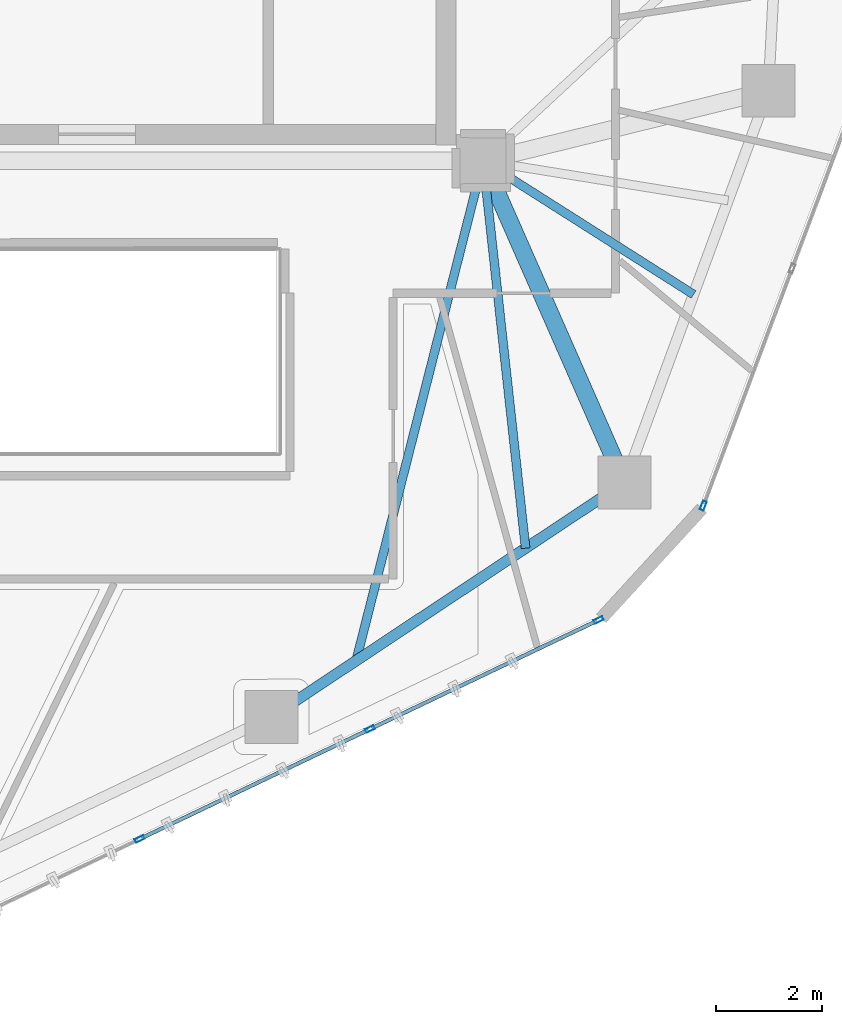
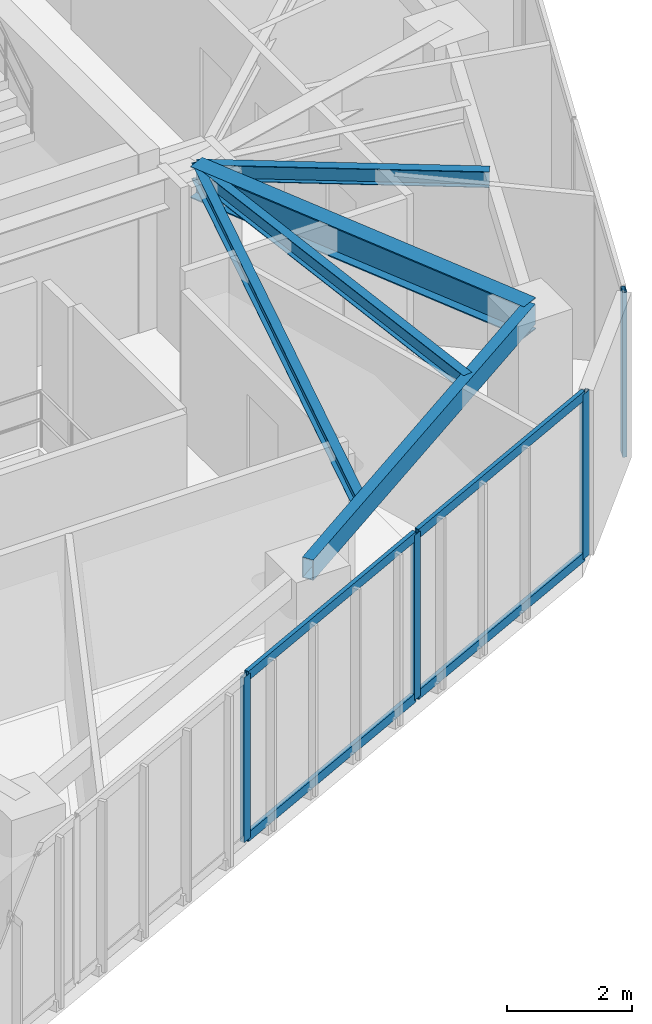
# One storey, part 6 of 18: 8 members, 5 beams, 2 elements without a shape of their own.
"""IFC4 building model written with IfcOpenShell, lengths in metres."""

from ifc_helpers import new_model, si_unit, direction, frame, origin, origin_2d, place, context, subcontext, project, spatial, hollow_rectangle, i_section, extrude, source, transform, mapped, material, layer, layer_set, material_profile, profile_set, type_object, type_shapes, element, aggregate, save


model = new_model("IFC4")

# Units and contexts
model_context = context("Model", 3, precision=1e-05, world=origin(), true_north=direction((0.0, 1.0)))
body_context = subcontext(model_context, "Body", "Model", "MODEL_VIEW")
ifc_project = project(units=[si_unit("LENGTHUNIT", "METRE"), si_unit("AREAUNIT", "SQUARE_METRE"), si_unit("VOLUMEUNIT", "CUBIC_METRE"), si_unit("PLANEANGLEUNIT", "RADIAN"), si_unit("MASSUNIT", "GRAM", prefix="KILO")], contexts=[model_context])

# Site, building, storey
site_placement = place(None, origin())
site = spatial("IfcSite", under=ifc_project, at=site_placement, CompositionType="ELEMENT")
building_placement = place(site_placement, origin())
building = spatial("IfcBuilding", under=site, at=building_placement, Name="Talar Marvaseh", CompositionType="ELEMENT")
storey_placement = place(building_placement, frame((0.0, 0.0, 167.0)))
storey = spatial("IfcBuildingStorey", under=building, at=storey_placement, Name="L43", CompositionType="ELEMENT", Elevation=167.0)

# Beams
ifc_material_1 = material(Name="Steel S355", Category="steel")
ifc_material_profile_1 = material_profile(ifc_material_1, hollow_rectangle(XDim=0.199951171875, YDim=0.39990234375, WallThickness=0.013916015625, at=origin_2d()), Name="RHS400x200x14")
ifc_profile_set_1 = profile_set([ifc_material_profile_1], Name="Steel S355")
beam_type_1 = type_object("IfcBeamType", Name="Zone 3 Perimeter Spandrel Beam RHS400x200x14", PredefinedType="SPANDREL", material=ifc_profile_set_1)
beam_1_placement = place(storey_placement, frame((35.970947265625, 19.423095703125, 3.030029296875), z_axis=(-0.833127464163, -0.553081032452, 0.0), x_axis=(0.553081032452, -0.833127464163, 0.0)))
element("IfcBeam", 1, at=beam_1_placement, inside=storey, type_object=beam_type_1, Name="L43 Zone 3 Perimeter Spandrel Beam RHS400x200x14", PredefinedType="SPANDREL", context=body_context, shape_type="SweptSolid", body=[
    extrude(hollow_rectangle(XDim=0.199951171875, YDim=0.39990234375, WallThickness=0.013916015625, at=origin_2d()), origin(), (0.0, 0.0, 1.0), 8.00830078125),
])
ifc_material_profile_2 = material_profile(ifc_material_1, i_section(OverallWidth=0.324951171875, OverallDepth=0.615966796875, WebThickness=0.013916015625, FlangeThickness=0.021484375, at=origin_2d()), Name="W610x174")
ifc_profile_set_2 = profile_set([ifc_material_profile_2], Name="Steel S355")
beam_type_2 = type_object("IfcBeamType", Name="Zone 3 Radial Floor Girder W610x174", PredefinedType="BEAM", material=ifc_profile_set_2)
beam_2_placement = place(storey_placement, frame((35.970947265625, 19.423095703125, 2.922119140625), z_axis=(-0.402367581672, 0.91547819702, 0.0), x_axis=(-0.91547819702, -0.402367581672, 0.0)))
element("IfcBeam", 2, at=beam_2_placement, inside=storey, type_object=beam_type_2, Name="L43 Zone 3 Radial Floor Girder W610x174", PredefinedType="BEAM", context=body_context, shape_type="SweptSolid", body=[
    extrude(i_section(OverallWidth=0.324951171875, OverallDepth=0.615966796875, WebThickness=0.013916015625, FlangeThickness=0.021484375, at=origin_2d()), origin(), (0.0, 0.0, 1.0), 6.637939453125),
])
ifc_material_profile_3 = material_profile(ifc_material_1, i_section(OverallWidth=0.166015625, OverallDepth=0.31298828125, WebThickness=0.006591796875, FlangeThickness=0.01123046875, at=origin_2d()), Name="W310x45")
ifc_profile_set_3 = profile_set([ifc_material_profile_3], Name="Steel S355")
beam_type_3 = type_object("IfcBeamType", Name="Zone 3 Secondary Floor Joist W310x45", PredefinedType="JOIST", material=ifc_profile_set_3)
beam_3_placement = place(storey_placement, frame((37.275634765625, 22.9755859375, 3.073486328125), z_axis=(-0.844190472961, 0.536043324147, 0.0), x_axis=(-0.536043324147, -0.844190472961, 0.0)))
element("IfcBeam", 3, at=beam_3_placement, inside=storey, type_object=beam_type_3, Name="L43 Zone 3 Secondary Floor Joist W310x45", PredefinedType="JOIST", context=body_context, shape_type="SweptSolid", body=[
    extrude(i_section(OverallWidth=0.166015625, OverallDepth=0.31298828125, WebThickness=0.006591796875, FlangeThickness=0.01123046875, at=origin_2d()), origin(), (0.0, 0.0, 1.0), 4.709228515625),
])
beam_4_placement = place(storey_placement, frame((34.102783203125, 18.182861328125, 3.073486328125), z_axis=(-0.109051770147, 0.994036071492, 0.0), x_axis=(-0.994036071492, -0.109051770147, 0.0)))
element("IfcBeam", 4, at=beam_4_placement, inside=storey, type_object=beam_type_3, Name="L43 Zone 3 Secondary Floor Joist W310x45", PredefinedType="JOIST", context=body_context, shape_type="SweptSolid", body=[
    extrude(i_section(OverallWidth=0.166015625, OverallDepth=0.31298828125, WebThickness=0.006591796875, FlangeThickness=0.01123046875, at=origin_2d()), origin(), (0.0, 0.0, 1.0), 7.361083984375),
])
beam_5_placement = place(storey_placement, frame((30.900390625, 16.056884765625, 3.073486328125), z_axis=(0.246289474123, 0.96919631393, 0.0), x_axis=(-0.96919631393, 0.246289474123, 0.0)))
element("IfcBeam", 5, at=beam_5_placement, inside=storey, type_object=beam_type_3, Name="L43 Zone 3 Secondary Floor Joist W310x45", PredefinedType="JOIST", context=body_context, shape_type="SweptSolid", body=[
    extrude(i_section(OverallWidth=0.166015625, OverallDepth=0.31298828125, WebThickness=0.006591796875, FlangeThickness=0.01123046875, at=origin_2d()), origin(), (0.0, 0.0, 1.0), 9.7431640625),
])

# Curtain wall, member
ifc_material_2 = material(Name="Architectural Aluminium", Category="aluminium")
ifc_layer = layer(ifc_material_2, 0.18994140625)
ifc_layer_set = layer_set([ifc_layer], Name="Architectural Aluminium")
curtain_wall_type = type_object("IfcCurtainWallType", Name="Unitised Solar Atelier Curtain Wall Z3", PredefinedType="NOTDEFINED", material=ifc_layer_set)
curtain_wall_1_placement = place(storey_placement, origin())
curtain_wall_1 = element("IfcCurtainWall", 6, at=curtain_wall_1_placement, inside=storey, type_object=curtain_wall_type, Name="L43 Unitised Solar Atelier Curtain Wall Z3", PredefinedType="NOTDEFINED")
ifc_material_profile_4 = material_profile(ifc_material_2, hollow_rectangle(XDim=0.074951171875, YDim=0.179931640625, WallThickness=0.0048828125, at=origin_2d()), Name="RHS180x75x5")
ifc_profile_set_4 = profile_set([ifc_material_profile_4], Name="Architectural Aluminium")
member_type_1 = type_object("IfcMemberType", Name="Unitised Curtain Wall Standard Mullion RHS180x75x5", PredefinedType="MULLION", material=ifc_profile_set_4)
shared_shape_1 = source(origin(), body_context, "Body", "SweptSolid", [
    extrude(hollow_rectangle(XDim=0.074951171875, YDim=0.179931640625, WallThickness=0.0048828125, at=origin_2d()), origin(), (0.0, 0.0, 1.0), 3.22998046875),
])
type_shapes(member_type_1, [shared_shape_1])
member_1_placement = place(storey_placement, frame((37.46044921875, 18.9853515625, 0.0), z_axis=(0.0, 0.0, 1.0), x_axis=(0.936616923625, -0.350355160345, 0.0)))
member_1 = element("IfcMember", 7, at=member_1_placement, type_object=member_type_1, Name="CW-Z3 mullion 5", PredefinedType="MULLION", context=body_context, shape_type="MappedRepresentation", body=[
    mapped(shared_shape_1, transform((0.0, 0.0, 0.0), x_axis=(1.0, 0.0, 0.0), y_axis=(0.0, 1.0, 0.0), z_axis=(0.0, 0.0, 1.0), scale=1.0)),
])
aggregate(curtain_wall_1, [member_1])

# Curtain wall, members
curtain_wall_2_placement = place(storey_placement, origin())
curtain_wall_2 = element("IfcCurtainWall", 8, at=curtain_wall_2_placement, inside=storey, type_object=curtain_wall_type, Name="L43 Unitised Solar Atelier Curtain Wall Z3", PredefinedType="NOTDEFINED")
member_2_placement = place(storey_placement, frame((35.481201171875, 16.8251953125, 0.0), z_axis=(0.0, 0.0, 1.0), x_axis=(0.430650890034, -0.902518593112, 0.0)))
member_2 = element("IfcMember", 9, at=member_2_placement, type_object=member_type_1, Name="CW-Z3 mullion 1", PredefinedType="MULLION", context=body_context, shape_type="MappedRepresentation", body=[
    mapped(shared_shape_1, transform((0.0, 0.0, 0.0), x_axis=(1.0, 0.0, 0.0), y_axis=(0.0, 1.0, 0.0), z_axis=(0.0, 0.0, 1.0), scale=1.0)),
])
member_3_placement = place(storey_placement, frame((31.1630859375, 14.764892578125, 0.0), z_axis=(0.0, 0.0, 1.0), x_axis=(0.430650890034, -0.902518593112, 0.0)))
member_3 = element("IfcMember", 10, at=member_3_placement, type_object=member_type_1, Name="CW-Z3 mullion 2", PredefinedType="MULLION", context=body_context, shape_type="MappedRepresentation", body=[
    mapped(shared_shape_1, transform((0.0, 0.0, 0.0), x_axis=(1.0, 0.0, 0.0), y_axis=(0.0, 1.0, 0.0), z_axis=(0.0, 0.0, 1.0), scale=1.0)),
])
member_4_placement = place(storey_placement, frame((26.81103515625, 12.688232421875, 0.0), z_axis=(0.0, 0.0, 1.0), x_axis=(0.430650890034, -0.902518593112, 0.0)))
member_4 = element("IfcMember", 11, at=member_4_placement, type_object=member_type_1, Name="CW-Z3 mullion 3", PredefinedType="MULLION", context=body_context, shape_type="MappedRepresentation", body=[
    mapped(shared_shape_1, transform((0.0, 0.0, 0.0), x_axis=(1.0, 0.0, 0.0), y_axis=(0.0, 1.0, 0.0), z_axis=(0.0, 0.0, 1.0), scale=1.0)),
])
ifc_material_profile_5 = material_profile(ifc_material_2, hollow_rectangle(XDim=0.074951171875, YDim=0.179931640625, WallThickness=0.0048828125, at=origin_2d()), Name="RHS180x75x5")
ifc_profile_set_5 = profile_set([ifc_material_profile_5], Name="Architectural Aluminium")
member_type_2 = type_object("IfcMemberType", Name="Unitised Curtain Wall Transom RHS180x75x5", PredefinedType="USERDEFINED", material=ifc_profile_set_5)
shared_shape_2 = source(origin(), body_context, "Body", "SweptSolid", [
    extrude(hollow_rectangle(XDim=0.074951171875, YDim=0.179931640625, WallThickness=0.0048828125, at=origin_2d()), origin(), (0.0, 0.0, 1.0), 4.70947265625),
])
member_5_placement = place(storey_placement, frame((35.447265625, 16.80908203125, 0.03759765625), z_axis=(-0.902527747016, -0.430631705598, 0.0), x_axis=(0.430631705598, -0.902527747016, 0.0)))
member_5 = element("IfcMember", 12, at=member_5_placement, type_object=member_type_2, Name="CW-Z3 transom 1.1", ObjectType="TRANSOM", PredefinedType="USERDEFINED", context=body_context, shape_type="MappedRepresentation", body=[
    mapped(shared_shape_2, transform((0.0, 0.0, 0.0), x_axis=(1.0, 0.0, 0.0), y_axis=(0.0, 1.0, 0.0), z_axis=(0.0, 0.0, 1.0), scale=1.0)),
])
member_6_placement = place(storey_placement, frame((35.447265625, 16.80908203125, 3.1923828125), z_axis=(-0.902527747016, -0.430631705598, 0.0), x_axis=(0.430631705598, -0.902527747016, 0.0)))
member_6 = element("IfcMember", 13, at=member_6_placement, type_object=member_type_2, Name="CW-Z3 transom 1.2", ObjectType="TRANSOM", PredefinedType="USERDEFINED", context=body_context, shape_type="MappedRepresentation", body=[
    mapped(shared_shape_2, transform((0.0, 0.0, 0.0), x_axis=(1.0, 0.0, 0.0), y_axis=(0.0, 1.0, 0.0), z_axis=(0.0, 0.0, 1.0), scale=1.0)),
])
shared_shape_3 = source(origin(), body_context, "Body", "SweptSolid", [
    extrude(hollow_rectangle(XDim=0.074951171875, YDim=0.179931640625, WallThickness=0.0048828125, at=origin_2d()), origin(), (0.0, 0.0, 1.0), 4.7470703125),
])
type_shapes(member_type_2, [shared_shape_2, shared_shape_3])
member_7_placement = place(storey_placement, frame((31.129150390625, 14.74853515625, 0.03759765625), z_axis=(-0.902534191191, -0.430618199489, 0.0), x_axis=(0.430618199489, -0.902534191191, 0.0)))
member_7 = element("IfcMember", 14, at=member_7_placement, type_object=member_type_2, Name="CW-Z3 transom 2.1", ObjectType="TRANSOM", PredefinedType="USERDEFINED", context=body_context, shape_type="MappedRepresentation", body=[
    mapped(shared_shape_3, transform((0.0, 0.0, 0.0), x_axis=(1.0, 0.0, 0.0), y_axis=(0.0, 1.0, 0.0), z_axis=(0.0, 0.0, 1.0), scale=1.0)),
])
member_8_placement = place(storey_placement, frame((31.129150390625, 14.74853515625, 3.1923828125), z_axis=(-0.902534191191, -0.430618199489, 0.0), x_axis=(0.430618199489, -0.902534191191, 0.0)))
member_8 = element("IfcMember", 15, at=member_8_placement, type_object=member_type_2, Name="CW-Z3 transom 2.2", ObjectType="TRANSOM", PredefinedType="USERDEFINED", context=body_context, shape_type="MappedRepresentation", body=[
    mapped(shared_shape_3, transform((0.0, 0.0, 0.0), x_axis=(1.0, 0.0, 0.0), y_axis=(0.0, 1.0, 0.0), z_axis=(0.0, 0.0, 1.0), scale=1.0)),
])
aggregate(curtain_wall_2, [member_2, member_3, member_4, member_5, member_6, member_7, member_8])

save(model, "model.ifc")
